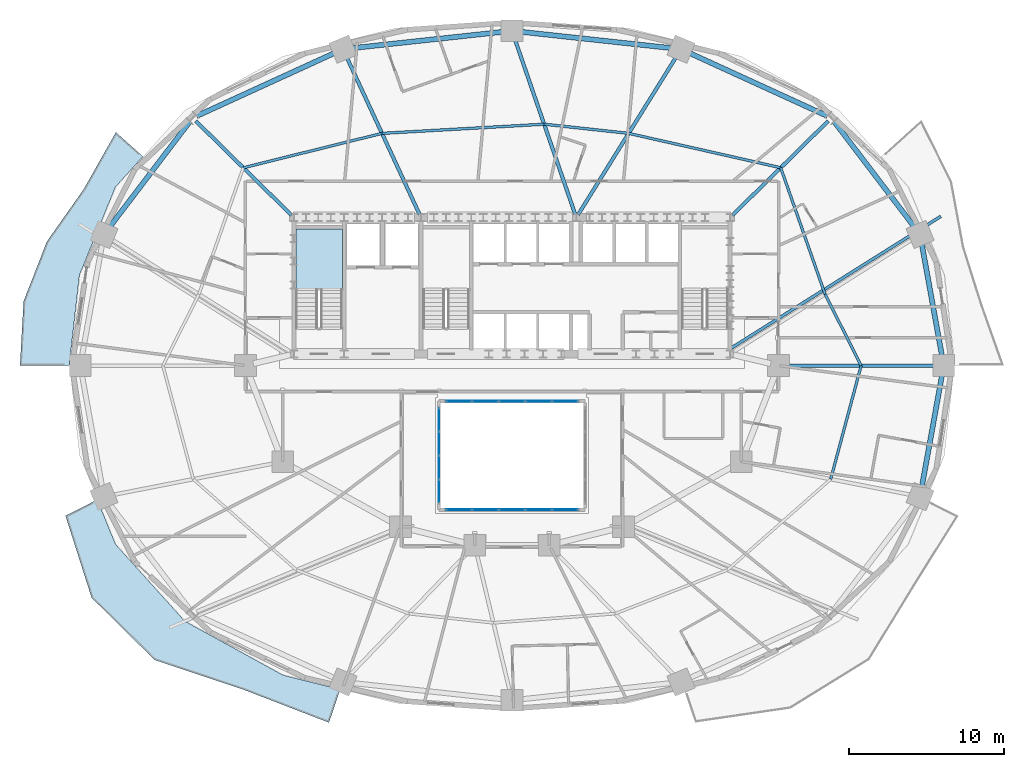
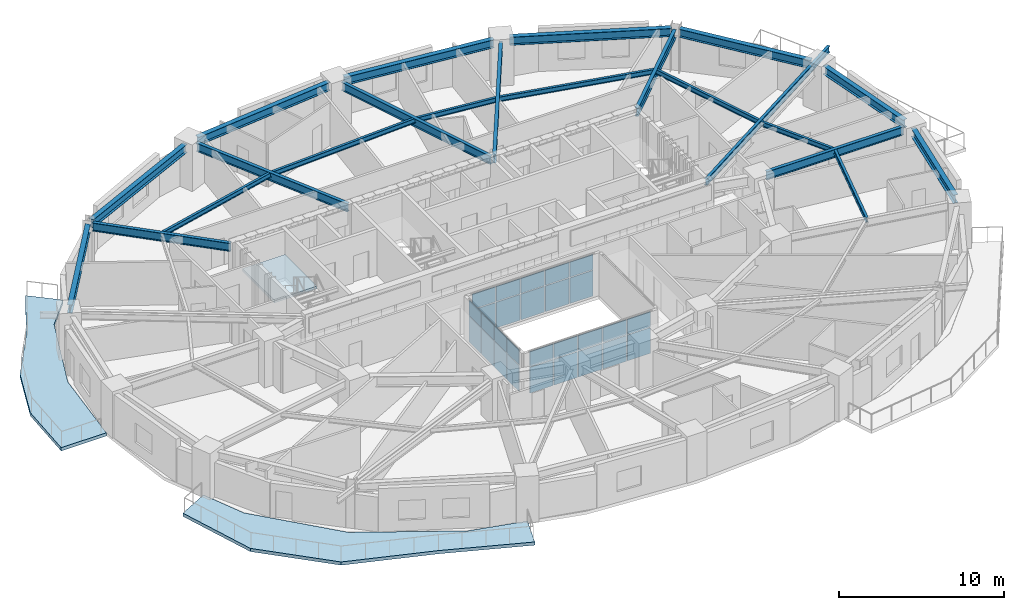
# One storey, part 6 of 15: 28 plates, 22 beams, 3 slabs, 4 elements without a shape of their own.
"""IFC4 building model written with IfcOpenShell, lengths in metres."""

from ifc_helpers import new_model, si_unit, direction, frame, origin, origin_2d, place, context, subcontext, project, spatial, polyline, rectangle, i_section, outline, extrude, material, layer, layer_set, material_profile, profile_set, type_object, element, aggregate, save


model = new_model("IFC4")

# Units and contexts
model_context = context("Model", 3, precision=1e-05, world=origin(), true_north=direction((0.0, 1.0)))
body_context = subcontext(model_context, "Body", "Model", "MODEL_VIEW")
ifc_project = project(units=[si_unit("LENGTHUNIT", "METRE"), si_unit("AREAUNIT", "SQUARE_METRE"), si_unit("VOLUMEUNIT", "CUBIC_METRE"), si_unit("PLANEANGLEUNIT", "RADIAN"), si_unit("MASSUNIT", "GRAM", prefix="KILO")], contexts=[model_context])

# Site, building, storey
site_placement = place(None, origin())
site = spatial("IfcSite", under=ifc_project, at=site_placement, CompositionType="ELEMENT")
building_placement = place(site_placement, origin())
building = spatial("IfcBuilding", under=site, at=building_placement, Name="Haldorwick Loom Tower", CompositionType="ELEMENT")
storey_placement = place(building_placement, frame((0.0, 0.0, 85.25)))
storey = spatial("IfcBuildingStorey", under=building, at=storey_placement, Name="L22", CompositionType="ELEMENT", Elevation=85.25)

# Beams
ifc_material_1 = material(Name="Steel CSA G40.21 350W", Category="steel")
ifc_material_profile_1 = material_profile(ifc_material_1, i_section(OverallWidth=0.193115234375, OverallDepth=0.466064453125, WebThickness=0.011474609375, FlangeThickness=0.01904296875, at=origin_2d()), Name="W460X97", Category="steel")
ifc_profile_set_1 = profile_set([ifc_material_profile_1], Name="Steel CSA G40.21 350W")
beam_type_1 = type_object("IfcBeamType", Name="STR-BM-BAL460", PredefinedType="BEAM", material=ifc_profile_set_1)
beam_1_placement = place(storey_placement, frame((50.111572265625, 27.106689453125, 2.97705078125), z_axis=(0.846609845451, 0.532214026108, 0.0), x_axis=(-0.532214026108, 0.846609845451, 0.0)))
element("IfcBeam", 1, at=beam_1_placement, inside=storey, type_object=beam_type_1, Name="L22 Continuous Back-Spanned Balcony Beam 4", PredefinedType="BEAM", context=body_context, shape_type="SweptSolid", body=[
    extrude(i_section(OverallWidth=0.193115234375, OverallDepth=0.466064453125, WebThickness=0.011474609375, FlangeThickness=0.01904296875, at=origin_2d()), origin(), (0.0, 0.0, 1.0), 16.0068359375),
])
ifc_material_profile_2 = material_profile(ifc_material_1, i_section(OverallWidth=0.172119140625, OverallDepth=0.35791015625, WebThickness=0.0078125, FlangeThickness=0.01318359375, at=origin_2d()), Name="W360X57", Category="steel")
ifc_profile_set_2 = profile_set([ifc_material_profile_2], Name="Steel CSA G40.21 350W")
beam_type_2 = type_object("IfcBeamType", Name="STR-BM-J360", PredefinedType="JOIST", material=ifc_profile_set_2)
beam_2_placement = place(storey_placement, frame((58.52880859375, 26.0, 3.031005859375), z_axis=(-0.451373231558, 0.892335254169, 0.0), x_axis=(-0.892335254169, -0.451373231558, 0.0)))
element("IfcBeam", 2, at=beam_2_placement, inside=storey, type_object=beam_type_2, Name="L22 Mid-Bay Secondary Joist 1", PredefinedType="JOIST", context=body_context, shape_type="SweptSolid", body=[
    extrude(i_section(OverallWidth=0.172119140625, OverallDepth=0.35791015625, WebThickness=0.0078125, FlangeThickness=0.01318359375, at=origin_2d()), origin(), (0.0, 0.0, 1.0), 5.158935546875),
])
beam_3_placement = place(storey_placement, frame((56.2001953125, 30.603515625, 3.031005859375), z_axis=(-0.330864603503, 0.943678236556, 0.0), x_axis=(-0.943678236556, -0.330864603503, 0.0)))
element("IfcBeam", 3, at=beam_3_placement, inside=storey, type_object=beam_type_2, Name="L22 Mid-Bay Secondary Joist 2", PredefinedType="JOIST", context=body_context, shape_type="SweptSolid", body=[
    extrude(i_section(OverallWidth=0.172119140625, OverallDepth=0.35791015625, WebThickness=0.0078125, FlangeThickness=0.01318359375, at=origin_2d()), origin(), (0.0, 0.0, 1.0), 8.6494140625),
])
beam_4_placement = place(storey_placement, frame((53.33837890625, 38.765869140625, 3.031005859375), z_axis=(-0.975380231772, 0.22052982444, 0.0), x_axis=(-0.22052982444, -0.975380231772, 0.0)))
element("IfcBeam", 4, at=beam_4_placement, inside=storey, type_object=beam_type_2, Name="L22 Mid-Bay Secondary Joist 3", PredefinedType="JOIST", context=body_context, shape_type="SweptSolid", body=[
    extrude(i_section(OverallWidth=0.172119140625, OverallDepth=0.35791015625, WebThickness=0.0078125, FlangeThickness=0.01318359375, at=origin_2d()), origin(), (0.0, 0.0, 1.0), 10.0576171875),
])
beam_5_placement = place(storey_placement, frame((43.5283203125, 40.98388671875, 3.031005859375), z_axis=(-0.994191869342, 0.107622148904, 0.0), x_axis=(-0.107622148904, -0.994191869342, 0.0)))
element("IfcBeam", 5, at=beam_5_placement, inside=storey, type_object=beam_type_2, Name="L22 Mid-Bay Secondary Joist 4", PredefinedType="JOIST", context=body_context, shape_type="SweptSolid", body=[
    extrude(i_section(OverallWidth=0.172119140625, OverallDepth=0.35791015625, WebThickness=0.0078125, FlangeThickness=0.01318359375, at=origin_2d()), origin(), (0.0, 0.0, 1.0), 5.485107421875),
])
beam_6_placement = place(storey_placement, frame((38.074951171875, 41.57421875, 3.031005859375), z_axis=(-0.998412171013, -0.056330602457, 0.0), x_axis=(0.056330602457, -0.998412171013, 0.0)))
element("IfcBeam", 6, at=beam_6_placement, inside=storey, type_object=beam_type_2, Name="L22 Mid-Bay Secondary Joist 5", PredefinedType="JOIST", context=body_context, shape_type="SweptSolid", body=[
    extrude(i_section(OverallWidth=0.172119140625, OverallDepth=0.35791015625, WebThickness=0.0078125, FlangeThickness=0.01318359375, at=origin_2d()), origin(), (0.0, 0.0, 1.0), 10.479736328125),
])
beam_7_placement = place(storey_placement, frame((27.61181640625, 40.98388671875, 3.031005859375), z_axis=(-0.970638838364, -0.240541567009, 0.0), x_axis=(0.240541567009, -0.970638838364, 0.0)))
element("IfcBeam", 7, at=beam_7_placement, inside=storey, type_object=beam_type_2, Name="L22 Mid-Bay Secondary Joist 6", PredefinedType="JOIST", context=body_context, shape_type="SweptSolid", body=[
    extrude(i_section(OverallWidth=0.172119140625, OverallDepth=0.35791015625, WebThickness=0.0078125, FlangeThickness=0.01318359375, at=origin_2d()), origin(), (0.0, 0.0, 1.0), 9.220947265625),
])
beam_8_placement = place(storey_placement, frame((56.565185546875, 18.67138671875, 3.031005859375), z_axis=(0.258810072536, 0.965928230436, 0.0), x_axis=(-0.965928230436, 0.258810072536, 0.0)))
element("IfcBeam", 8, at=beam_8_placement, inside=storey, type_object=beam_type_2, Name="L22 Mid-Bay Secondary Joist 16", PredefinedType="JOIST", context=body_context, shape_type="SweptSolid", body=[
    extrude(i_section(OverallWidth=0.172119140625, OverallDepth=0.35791015625, WebThickness=0.0078125, FlangeThickness=0.01318359375, at=origin_2d()), origin(), (0.0, 0.0, 1.0), 7.587158203125),
])
ifc_material_profile_3 = material_profile(ifc_material_1, i_section(OverallWidth=0.324951171875, OverallDepth=0.615966796875, WebThickness=0.013916015625, FlangeThickness=0.021484375, at=origin_2d()), Name="W610X174", Category="steel")
ifc_profile_set_3 = profile_set([ifc_material_profile_3], Name="Steel CSA G40.21 350W")
beam_type_3 = type_object("IfcBeamType", Name="STR-BM-SP610", PredefinedType="SPANDREL", material=ifc_profile_set_3)
beam_9_placement = place(storey_placement, frame((63.76513671875, 26.51171875, 2.902099609375), z_axis=(-0.177659490888, 0.984092020747, 0.0), x_axis=(-0.984092020747, -0.177659490888, 0.0)))
element("IfcBeam", 9, at=beam_9_placement, inside=storey, type_object=beam_type_3, Name="L22 Perimeter Spandrel 1", PredefinedType="SPANDREL", context=body_context, shape_type="SweptSolid", body=[
    extrude(i_section(OverallWidth=0.324951171875, OverallDepth=0.615966796875, WebThickness=0.013916015625, FlangeThickness=0.021484375, at=origin_2d()), origin(), (0.0, 0.0, 1.0), 7.553955078125),
])
beam_10_placement = place(storey_placement, frame((62.015869140625, 34.87109375, 2.902099609375), z_axis=(-0.605453508047, 0.795880675475, 0.0), x_axis=(-0.795880675475, -0.605453508047, 0.0)))
element("IfcBeam", 10, at=beam_10_placement, inside=storey, type_object=beam_type_3, Name="L22 Perimeter Spandrel 2", PredefinedType="SPANDREL", context=body_context, shape_type="SweptSolid", body=[
    extrude(i_section(OverallWidth=0.324951171875, OverallDepth=0.615966796875, WebThickness=0.013916015625, FlangeThickness=0.021484375, at=origin_2d()), origin(), (0.0, 0.0, 1.0), 8.6591796875),
])
beam_11_placement = place(storey_placement, frame((56.356689453125, 42.09619140625, 2.902099609375), z_axis=(-0.909423969306, 0.415870225011, 0.0), x_axis=(-0.415870225011, -0.909423969306, 0.0)))
element("IfcBeam", 11, at=beam_11_placement, inside=storey, type_object=beam_type_3, Name="L22 Perimeter Spandrel 3", PredefinedType="SPANDREL", context=body_context, shape_type="SweptSolid", body=[
    extrude(i_section(OverallWidth=0.324951171875, OverallDepth=0.615966796875, WebThickness=0.013916015625, FlangeThickness=0.021484375, at=origin_2d()), origin(), (0.0, 0.0, 1.0), 9.871337890625),
])
for number, where, z_axis, x_axis, name in (
    (12, (46.389404296875, 46.4736328125, 2.902099609375), (-0.994190135627, 0.107638163409, 0.0), (-0.107638163409, -0.994190135627, 0.0), "L22 Perimeter Spandrel 4"),
    (13, (35.48291015625, 47.54248046875, 2.902099609375), (-0.994190135627, -0.107638163409, 0.0), (0.107638163409, -0.994190135627, 0.0), "L22 Perimeter Spandrel 5"),
):
    element("IfcBeam", number, at=place(storey_placement, frame(where, z_axis=z_axis, x_axis=x_axis)), inside=storey, type_object=beam_type_3, Name=name, PredefinedType="SPANDREL", context=body_context, shape_type="SweptSolid", body=[
        extrude(i_section(OverallWidth=0.324951171875, OverallDepth=0.615966796875, WebThickness=0.013916015625, FlangeThickness=0.021484375, at=origin_2d()), origin(), (0.0, 0.0, 1.0), 9.929931640625),
    ])
beam_12_placement = place(storey_placement, frame((24.62060546875, 46.201416015625, 2.902099609375), z_axis=(-0.909423969306, -0.415870225011, 0.0), x_axis=(0.415870225011, -0.909423969306, 0.0)))
element("IfcBeam", 14, at=beam_12_placement, inside=storey, type_object=beam_type_3, Name="L22 Perimeter Spandrel 6", PredefinedType="SPANDREL", context=body_context, shape_type="SweptSolid", body=[
    extrude(i_section(OverallWidth=0.324951171875, OverallDepth=0.615966796875, WebThickness=0.013916015625, FlangeThickness=0.021484375, at=origin_2d()), origin(), (0.0, 0.0, 1.0), 9.871337890625),
])
beam_13_placement = place(storey_placement, frame((15.226806640625, 41.7626953125, 2.902099609375), z_axis=(-0.605453508047, -0.795880675475, 0.0), x_axis=(0.795880675475, -0.605453508047, 0.0)))
element("IfcBeam", 15, at=beam_13_placement, inside=storey, type_object=beam_type_3, Name="L22 Perimeter Spandrel 7", PredefinedType="SPANDREL", context=body_context, shape_type="SweptSolid", body=[
    extrude(i_section(OverallWidth=0.324951171875, OverallDepth=0.615966796875, WebThickness=0.013916015625, FlangeThickness=0.021484375, at=origin_2d()), origin(), (0.0, 0.0, 1.0), 8.6591796875),
])
beam_14_placement = place(storey_placement, frame((62.423095703125, 18.054443359375, 2.902099609375), z_axis=(0.177659490888, 0.984092020747, 0.0), x_axis=(-0.984092020747, 0.177659490888, 0.0)))
element("IfcBeam", 16, at=beam_14_placement, inside=storey, type_object=beam_type_3, Name="L22 Perimeter Spandrel 16", PredefinedType="SPANDREL", context=body_context, shape_type="SweptSolid", body=[
    extrude(i_section(OverallWidth=0.324951171875, OverallDepth=0.615966796875, WebThickness=0.013916015625, FlangeThickness=0.021484375, at=origin_2d()), origin(), (0.0, 0.0, 1.0), 7.553955078125),
])
ifc_material_profile_4 = material_profile(ifc_material_1, i_section(OverallWidth=0.22998046875, OverallDepth=0.616943359375, WebThickness=0.01318359375, FlangeThickness=0.022216796875, at=origin_2d()), Name="W610X140", Category="steel")
ifc_profile_set_4 = profile_set([ifc_material_profile_4], Name="Steel CSA G40.21 350W")
beam_type_4 = type_object("IfcBeamType", Name="STR-BM-W610B", PredefinedType="BEAM", material=ifc_profile_set_4)
beam_15_placement = place(storey_placement, frame((53.719970703125, 26.0, 2.901611328125), z_axis=(1.0, 0.0, 0.0), x_axis=(0.0, 1.0, 0.0)))
element("IfcBeam", 17, at=beam_15_placement, inside=storey, type_object=beam_type_4, Name="L22 Radial Floor Girder 1", PredefinedType="BEAM", context=body_context, shape_type="SweptSolid", body=[
    extrude(i_section(OverallWidth=0.22998046875, OverallDepth=0.616943359375, WebThickness=0.01318359375, FlangeThickness=0.022216796875, at=origin_2d()), origin(), (0.0, 0.0, 1.0), 9.61767578125),
])
beam_16_placement = place(storey_placement, frame((50.23046875, 35.707763671875, 2.901611328125), z_axis=(0.712813667541, 0.701353459653, 0.0), x_axis=(-0.701353459653, 0.712813667541, 0.0)))
element("IfcBeam", 18, at=beam_16_placement, inside=storey, type_object=beam_type_4, Name="L22 Radial Floor Girder 3", PredefinedType="BEAM", context=body_context, shape_type="SweptSolid", body=[
    extrude(i_section(OverallWidth=0.22998046875, OverallDepth=0.616943359375, WebThickness=0.01318359375, FlangeThickness=0.022216796875, at=origin_2d()), origin(), (0.0, 0.0, 1.0), 8.67041015625),
])
beam_17_placement = place(storey_placement, frame((40.268798828125, 35.7412109375, 2.901611328125), z_axis=(0.527983484361, 0.849254638046, 0.0), x_axis=(-0.849254638046, 0.527983484361, 0.0)))
element("IfcBeam", 19, at=beam_17_placement, inside=storey, type_object=beam_type_4, Name="L22 Radial Floor Girder 4", PredefinedType="BEAM", context=body_context, shape_type="SweptSolid", body=[
    extrude(i_section(OverallWidth=0.22998046875, OverallDepth=0.616943359375, WebThickness=0.01318359375, FlangeThickness=0.022216796875, at=origin_2d()), origin(), (0.0, 0.0, 1.0), 12.051513671875),
])
beam_18_placement = place(storey_placement, frame((40.07666015625, 35.7626953125, 2.901611328125), z_axis=(-0.325673980289, 0.945482130218, 0.0), x_axis=(-0.945482130218, -0.325673980289, 0.0)))
element("IfcBeam", 20, at=beam_18_placement, inside=storey, type_object=beam_type_4, Name="L22 Radial Floor Girder 5", PredefinedType="BEAM", context=body_context, shape_type="SweptSolid", body=[
    extrude(i_section(OverallWidth=0.22998046875, OverallDepth=0.616943359375, WebThickness=0.01318359375, FlangeThickness=0.022216796875, at=origin_2d()), origin(), (0.0, 0.0, 1.0), 11.998046875),
])
beam_19_placement = place(storey_placement, frame((30.035400390625, 35.754150390625, 2.901611328125), z_axis=(-0.420492432459, 0.907296045536, 0.0), x_axis=(-0.907296045536, -0.420492432459, 0.0)))
element("IfcBeam", 21, at=beam_19_placement, inside=storey, type_object=beam_type_4, Name="L22 Radial Floor Girder 6", PredefinedType="BEAM", context=body_context, shape_type="SweptSolid", body=[
    extrude(i_section(OverallWidth=0.22998046875, OverallDepth=0.616943359375, WebThickness=0.01318359375, FlangeThickness=0.022216796875, at=origin_2d()), origin(), (0.0, 0.0, 1.0), 11.23291015625),
])
beam_20_placement = place(storey_placement, frame((21.76953125, 35.707763671875, 2.901611328125), z_axis=(-0.712813667541, 0.701353459653, 0.0), x_axis=(-0.701353459653, -0.712813667541, 0.0)))
element("IfcBeam", 22, at=beam_20_placement, inside=storey, type_object=beam_type_4, Name="L22 Radial Floor Girder 7", PredefinedType="BEAM", context=body_context, shape_type="SweptSolid", body=[
    extrude(i_section(OverallWidth=0.22998046875, OverallDepth=0.616943359375, WebThickness=0.01318359375, FlangeThickness=0.022216796875, at=origin_2d()), origin(), (0.0, 0.0, 1.0), 8.67041015625),
])

# Curtain wall, plates
ifc_material_2 = material(Name="Thermally Broken Anodized Aluminium Curtain Wall Framing", Category="aluminium")
curtain_wall_type = type_object("IfcCurtainWallType", Name="ARC-CW-03", PredefinedType="NOTDEFINED", material=ifc_material_2)
curtain_wall_1_placement = place(storey_placement, origin())
curtain_wall_1 = element("IfcCurtainWall", 23, at=curtain_wall_1_placement, inside=storey, type_object=curtain_wall_type, Name="L22 Atrium Glazed Screen S", PredefinedType="NOTDEFINED")
ifc_material_3 = material(Name="Triple-Glazed Low-E Argon Insulated Glazing Unit", Category="glass")
ifc_layer_1 = layer(ifc_material_3, 0.04296875, Name="Triple-Glazed Low-E Argon Insulated Glazing Unit", Category="glass")
ifc_layer_set_1 = layer_set([ifc_layer_1], Name="Triple-Glazed Low-E Argon Insulated Glazing Unit")
plate_type = type_object("IfcPlateType", Name="ARC-CWP-03", PredefinedType="CURTAIN_PANEL", material=ifc_layer_set_1)
plate_1_placement = place(storey_placement, frame((39.423583984375, 16.699951171875, 0.066162109375), z_axis=(0.0, 0.0, 1.0), x_axis=(-1.0, 0.0, 0.0)))
plate_1 = element("IfcPlate", 24, at=plate_1_placement, type_object=plate_type, Name="CW-03 panel 1.1", PredefinedType="CURTAIN_PANEL", context=body_context, shape_type="SweptSolid", body=[
    extrude(rectangle(XDim=1.62109375, YDim=0.04296875, at=origin_2d()), origin(), (0.0, 0.0, 1.0), 1.90087890625),
])
plate_2_placement = place(storey_placement, frame((39.423583984375, 16.699951171875, 2.03271484375), z_axis=(0.0, 0.0, 1.0), x_axis=(-1.0, 0.0, 0.0)))
plate_2 = element("IfcPlate", 25, at=plate_2_placement, type_object=plate_type, Name="CW-03 panel 1.2", PredefinedType="CURTAIN_PANEL", context=body_context, shape_type="SweptSolid", body=[
    extrude(rectangle(XDim=1.62109375, YDim=0.04296875, at=origin_2d()), origin(), (0.0, 0.0, 1.0), 1.111083984375),
])
plate_3_placement = place(storey_placement, frame((37.719970703125, 16.699951171875, 0.066162109375), z_axis=(0.0, 0.0, 1.0), x_axis=(-1.0, 0.0, 0.0)))
plate_3 = element("IfcPlate", 26, at=plate_3_placement, type_object=plate_type, Name="CW-03 panel 2.1", PredefinedType="CURTAIN_PANEL", context=body_context, shape_type="SweptSolid", body=[
    extrude(rectangle(XDim=1.654052734375, YDim=0.04296875, at=origin_2d()), origin(), (0.0, 0.0, 1.0), 1.90087890625),
])
plate_4_placement = place(storey_placement, frame((37.719970703125, 16.699951171875, 2.03271484375), z_axis=(0.0, 0.0, 1.0), x_axis=(-1.0, 0.0, 0.0)))
plate_4 = element("IfcPlate", 27, at=plate_4_placement, type_object=plate_type, Name="CW-03 panel 2.2", PredefinedType="CURTAIN_PANEL", context=body_context, shape_type="SweptSolid", body=[
    extrude(rectangle(XDim=1.654052734375, YDim=0.04296875, at=origin_2d()), origin(), (0.0, 0.0, 1.0), 1.111083984375),
])
plate_5_placement = place(storey_placement, frame((36.0, 16.699951171875, 0.066162109375), z_axis=(0.0, 0.0, 1.0), x_axis=(-1.0, 0.0, 0.0)))
plate_5 = element("IfcPlate", 28, at=plate_5_placement, type_object=plate_type, Name="CW-03 panel 3.1", PredefinedType="CURTAIN_PANEL", context=body_context, shape_type="SweptSolid", body=[
    extrude(rectangle(XDim=1.654052734375, YDim=0.04296875, at=origin_2d()), origin(), (0.0, 0.0, 1.0), 1.90087890625),
])
plate_6_placement = place(storey_placement, frame((36.0, 16.699951171875, 2.03271484375), z_axis=(0.0, 0.0, 1.0), x_axis=(-1.0, 0.0, 0.0)))
plate_6 = element("IfcPlate", 29, at=plate_6_placement, type_object=plate_type, Name="CW-03 panel 3.2", PredefinedType="CURTAIN_PANEL", context=body_context, shape_type="SweptSolid", body=[
    extrude(rectangle(XDim=1.654052734375, YDim=0.04296875, at=origin_2d()), origin(), (0.0, 0.0, 1.0), 1.111083984375),
])
plate_7_placement = place(storey_placement, frame((34.280029296875, 16.699951171875, 0.066162109375), z_axis=(0.0, 0.0, 1.0), x_axis=(-1.0, 0.0, 0.0)))
plate_7 = element("IfcPlate", 30, at=plate_7_placement, type_object=plate_type, Name="CW-03 panel 4.1", PredefinedType="CURTAIN_PANEL", context=body_context, shape_type="SweptSolid", body=[
    extrude(rectangle(XDim=1.654052734375, YDim=0.04296875, at=origin_2d()), origin(), (0.0, 0.0, 1.0), 1.90087890625),
])
plate_8_placement = place(storey_placement, frame((34.280029296875, 16.699951171875, 2.03271484375), z_axis=(0.0, 0.0, 1.0), x_axis=(-1.0, 0.0, 0.0)))
plate_8 = element("IfcPlate", 31, at=plate_8_placement, type_object=plate_type, Name="CW-03 panel 4.2", PredefinedType="CURTAIN_PANEL", context=body_context, shape_type="SweptSolid", body=[
    extrude(rectangle(XDim=1.654052734375, YDim=0.04296875, at=origin_2d()), origin(), (0.0, 0.0, 1.0), 1.111083984375),
])
plate_9_placement = place(storey_placement, frame((32.576416015625, 16.699951171875, 0.066162109375), z_axis=(0.0, 0.0, 1.0), x_axis=(-1.0, 0.0, 0.0)))
plate_9 = element("IfcPlate", 32, at=plate_9_placement, type_object=plate_type, Name="CW-03 panel 5.1", PredefinedType="CURTAIN_PANEL", context=body_context, shape_type="SweptSolid", body=[
    extrude(rectangle(XDim=1.62109375, YDim=0.04296875, at=origin_2d()), origin(), (0.0, 0.0, 1.0), 1.90087890625),
])
plate_10_placement = place(storey_placement, frame((32.576416015625, 16.699951171875, 2.03271484375), z_axis=(0.0, 0.0, 1.0), x_axis=(-1.0, 0.0, 0.0)))
plate_10 = element("IfcPlate", 33, at=plate_10_placement, type_object=plate_type, Name="CW-03 panel 5.2", PredefinedType="CURTAIN_PANEL", context=body_context, shape_type="SweptSolid", body=[
    extrude(rectangle(XDim=1.62109375, YDim=0.04296875, at=origin_2d()), origin(), (0.0, 0.0, 1.0), 1.111083984375),
])
aggregate(curtain_wall_1, [plate_1, plate_2, plate_3, plate_4, plate_5, plate_6, plate_7, plate_8, plate_9, plate_10])

curtain_wall_2_placement = place(storey_placement, origin())
curtain_wall_2 = element("IfcCurtainWall", 34, at=curtain_wall_2_placement, inside=storey, type_object=curtain_wall_type, Name="L22 Atrium Glazed Screen N", PredefinedType="NOTDEFINED")
plate_11_placement = place(storey_placement, frame((32.576416015625, 23.699951171875, 0.066162109375), z_axis=(0.0, 0.0, 1.0), x_axis=(1.0, 0.0, 0.0)))
plate_11 = element("IfcPlate", 35, at=plate_11_placement, type_object=plate_type, Name="CW-03 panel 1.1", PredefinedType="CURTAIN_PANEL", context=body_context, shape_type="SweptSolid", body=[
    extrude(rectangle(XDim=1.62109375, YDim=0.04296875, at=origin_2d()), origin(), (0.0, 0.0, 1.0), 1.90087890625),
])
plate_12_placement = place(storey_placement, frame((32.576416015625, 23.699951171875, 2.03271484375), z_axis=(0.0, 0.0, 1.0), x_axis=(1.0, 0.0, 0.0)))
plate_12 = element("IfcPlate", 36, at=plate_12_placement, type_object=plate_type, Name="CW-03 panel 1.2", PredefinedType="CURTAIN_PANEL", context=body_context, shape_type="SweptSolid", body=[
    extrude(rectangle(XDim=1.62109375, YDim=0.04296875, at=origin_2d()), origin(), (0.0, 0.0, 1.0), 1.111083984375),
])
plate_13_placement = place(storey_placement, frame((34.280029296875, 23.699951171875, 0.066162109375), z_axis=(0.0, 0.0, 1.0), x_axis=(1.0, 0.0, 0.0)))
plate_13 = element("IfcPlate", 37, at=plate_13_placement, type_object=plate_type, Name="CW-03 panel 2.1", PredefinedType="CURTAIN_PANEL", context=body_context, shape_type="SweptSolid", body=[
    extrude(rectangle(XDim=1.654052734375, YDim=0.04296875, at=origin_2d()), origin(), (0.0, 0.0, 1.0), 1.90087890625),
])
plate_14_placement = place(storey_placement, frame((34.280029296875, 23.699951171875, 2.03271484375), z_axis=(0.0, 0.0, 1.0), x_axis=(1.0, 0.0, 0.0)))
plate_14 = element("IfcPlate", 38, at=plate_14_placement, type_object=plate_type, Name="CW-03 panel 2.2", PredefinedType="CURTAIN_PANEL", context=body_context, shape_type="SweptSolid", body=[
    extrude(rectangle(XDim=1.654052734375, YDim=0.04296875, at=origin_2d()), origin(), (0.0, 0.0, 1.0), 1.111083984375),
])
plate_15_placement = place(storey_placement, frame((36.0, 23.699951171875, 0.066162109375), z_axis=(0.0, 0.0, 1.0), x_axis=(1.0, 0.0, 0.0)))
plate_15 = element("IfcPlate", 39, at=plate_15_placement, type_object=plate_type, Name="CW-03 panel 3.1", PredefinedType="CURTAIN_PANEL", context=body_context, shape_type="SweptSolid", body=[
    extrude(rectangle(XDim=1.654052734375, YDim=0.04296875, at=origin_2d()), origin(), (0.0, 0.0, 1.0), 1.90087890625),
])
plate_16_placement = place(storey_placement, frame((36.0, 23.699951171875, 2.03271484375), z_axis=(0.0, 0.0, 1.0), x_axis=(1.0, 0.0, 0.0)))
plate_16 = element("IfcPlate", 40, at=plate_16_placement, type_object=plate_type, Name="CW-03 panel 3.2", PredefinedType="CURTAIN_PANEL", context=body_context, shape_type="SweptSolid", body=[
    extrude(rectangle(XDim=1.654052734375, YDim=0.04296875, at=origin_2d()), origin(), (0.0, 0.0, 1.0), 1.111083984375),
])
plate_17_placement = place(storey_placement, frame((37.719970703125, 23.699951171875, 0.066162109375), z_axis=(0.0, 0.0, 1.0), x_axis=(1.0, 0.0, 0.0)))
plate_17 = element("IfcPlate", 41, at=plate_17_placement, type_object=plate_type, Name="CW-03 panel 4.1", PredefinedType="CURTAIN_PANEL", context=body_context, shape_type="SweptSolid", body=[
    extrude(rectangle(XDim=1.654052734375, YDim=0.04296875, at=origin_2d()), origin(), (0.0, 0.0, 1.0), 1.90087890625),
])
plate_18_placement = place(storey_placement, frame((37.719970703125, 23.699951171875, 2.03271484375), z_axis=(0.0, 0.0, 1.0), x_axis=(1.0, 0.0, 0.0)))
plate_18 = element("IfcPlate", 42, at=plate_18_placement, type_object=plate_type, Name="CW-03 panel 4.2", PredefinedType="CURTAIN_PANEL", context=body_context, shape_type="SweptSolid", body=[
    extrude(rectangle(XDim=1.654052734375, YDim=0.04296875, at=origin_2d()), origin(), (0.0, 0.0, 1.0), 1.111083984375),
])
plate_19_placement = place(storey_placement, frame((39.423583984375, 23.699951171875, 0.066162109375), z_axis=(0.0, 0.0, 1.0), x_axis=(1.0, 0.0, 0.0)))
plate_19 = element("IfcPlate", 43, at=plate_19_placement, type_object=plate_type, Name="CW-03 panel 5.1", PredefinedType="CURTAIN_PANEL", context=body_context, shape_type="SweptSolid", body=[
    extrude(rectangle(XDim=1.62109375, YDim=0.04296875, at=origin_2d()), origin(), (0.0, 0.0, 1.0), 1.90087890625),
])
plate_20_placement = place(storey_placement, frame((39.423583984375, 23.699951171875, 2.03271484375), z_axis=(0.0, 0.0, 1.0), x_axis=(1.0, 0.0, 0.0)))
plate_20 = element("IfcPlate", 44, at=plate_20_placement, type_object=plate_type, Name="CW-03 panel 5.2", PredefinedType="CURTAIN_PANEL", context=body_context, shape_type="SweptSolid", body=[
    extrude(rectangle(XDim=1.62109375, YDim=0.04296875, at=origin_2d()), origin(), (0.0, 0.0, 1.0), 1.111083984375),
])
aggregate(curtain_wall_2, [plate_11, plate_12, plate_13, plate_14, plate_15, plate_16, plate_17, plate_18, plate_19, plate_20])

curtain_wall_3_placement = place(storey_placement, origin())
curtain_wall_3 = element("IfcCurtainWall", 45, at=curtain_wall_3_placement, inside=storey, type_object=curtain_wall_type, Name="L22 Atrium Glazed Screen W", PredefinedType="NOTDEFINED")
plate_21_placement = place(storey_placement, frame((31.300048828125, 17.8916015625, 0.066162109375), z_axis=(0.0, 0.0, 1.0), x_axis=(0.0, 1.0, 0.0)))
plate_21 = element("IfcPlate", 46, at=plate_21_placement, type_object=plate_type, Name="CW-03 panel 1.1", PredefinedType="CURTAIN_PANEL", context=body_context, shape_type="SweptSolid", body=[
    extrude(rectangle(XDim=1.450927734375, YDim=0.04296875, at=origin_2d()), origin(), (0.0, 0.0, 1.0), 1.90087890625),
])
plate_22_placement = place(storey_placement, frame((31.300048828125, 17.8916015625, 2.03271484375), z_axis=(0.0, 0.0, 1.0), x_axis=(0.0, 1.0, 0.0)))
plate_22 = element("IfcPlate", 47, at=plate_22_placement, type_object=plate_type, Name="CW-03 panel 1.2", PredefinedType="CURTAIN_PANEL", context=body_context, shape_type="SweptSolid", body=[
    extrude(rectangle(XDim=1.450927734375, YDim=0.04296875, at=origin_2d()), origin(), (0.0, 0.0, 1.0), 1.111083984375),
])
plate_23_placement = place(storey_placement, frame((31.300048828125, 19.425048828125, 0.066162109375), z_axis=(0.0, 0.0, 1.0), x_axis=(0.0, 1.0, 0.0)))
plate_23 = element("IfcPlate", 48, at=plate_23_placement, type_object=plate_type, Name="CW-03 panel 2.1", PredefinedType="CURTAIN_PANEL", context=body_context, shape_type="SweptSolid", body=[
    extrude(rectangle(XDim=1.48388671875, YDim=0.04296875, at=origin_2d()), origin(), (0.0, 0.0, 1.0), 1.90087890625),
])
plate_24_placement = place(storey_placement, frame((31.300048828125, 19.425048828125, 2.03271484375), z_axis=(0.0, 0.0, 1.0), x_axis=(0.0, 1.0, 0.0)))
plate_24 = element("IfcPlate", 49, at=plate_24_placement, type_object=plate_type, Name="CW-03 panel 2.2", PredefinedType="CURTAIN_PANEL", context=body_context, shape_type="SweptSolid", body=[
    extrude(rectangle(XDim=1.48388671875, YDim=0.04296875, at=origin_2d()), origin(), (0.0, 0.0, 1.0), 1.111083984375),
])
plate_25_placement = place(storey_placement, frame((31.300048828125, 20.97509765625, 0.066162109375), z_axis=(0.0, 0.0, 1.0), x_axis=(0.0, 1.0, 0.0)))
plate_25 = element("IfcPlate", 50, at=plate_25_placement, type_object=plate_type, Name="CW-03 panel 3.1", PredefinedType="CURTAIN_PANEL", context=body_context, shape_type="SweptSolid", body=[
    extrude(rectangle(XDim=1.48388671875, YDim=0.04296875, at=origin_2d()), origin(), (0.0, 0.0, 1.0), 1.90087890625),
])
plate_26_placement = place(storey_placement, frame((31.300048828125, 20.97509765625, 2.03271484375), z_axis=(0.0, 0.0, 1.0), x_axis=(0.0, 1.0, 0.0)))
plate_26 = element("IfcPlate", 51, at=plate_26_placement, type_object=plate_type, Name="CW-03 panel 3.2", PredefinedType="CURTAIN_PANEL", context=body_context, shape_type="SweptSolid", body=[
    extrude(rectangle(XDim=1.48388671875, YDim=0.04296875, at=origin_2d()), origin(), (0.0, 0.0, 1.0), 1.111083984375),
])
plate_27_placement = place(storey_placement, frame((31.300048828125, 22.508544921875, 0.066162109375), z_axis=(0.0, 0.0, 1.0), x_axis=(0.0, 1.0, 0.0)))
plate_27 = element("IfcPlate", 52, at=plate_27_placement, type_object=plate_type, Name="CW-03 panel 4.1", PredefinedType="CURTAIN_PANEL", context=body_context, shape_type="SweptSolid", body=[
    extrude(rectangle(XDim=1.450927734375, YDim=0.04296875, at=origin_2d()), origin(), (0.0, 0.0, 1.0), 1.90087890625),
])
plate_28_placement = place(storey_placement, frame((31.300048828125, 22.508544921875, 2.03271484375), z_axis=(0.0, 0.0, 1.0), x_axis=(0.0, 1.0, 0.0)))
plate_28 = element("IfcPlate", 53, at=plate_28_placement, type_object=plate_type, Name="CW-03 panel 4.2", PredefinedType="CURTAIN_PANEL", context=body_context, shape_type="SweptSolid", body=[
    extrude(rectangle(XDim=1.450927734375, YDim=0.04296875, at=origin_2d()), origin(), (0.0, 0.0, 1.0), 1.111083984375),
])
aggregate(curtain_wall_3, [plate_21, plate_22, plate_23, plate_24, plate_25, plate_26, plate_27, plate_28])

# Slabs
ifc_material_4 = material(Name="Concrete C40 (40 MPa)", Category="concrete")
ifc_layer_2 = layer(ifc_material_4, 0.239990234375, Name="Concrete C40 (40 MPa)", Category="concrete")
ifc_layer_set_2 = layer_set([ifc_layer_2], Name="Concrete C40 (40 MPa)")
slab_type_1 = type_object("IfcSlabType", Name="STR-SLB-BAL240", PredefinedType="FLOOR", material=ifc_layer_set_2)
slab_1_placement = place(storey_placement, frame((0.0, 0.0, -0.239990234375)))
element("IfcSlab", 54, at=slab_1_placement, inside=storey, type_object=slab_type_1, Name="L22 Sinusoidal Balcony Terrace BAL_SW", PredefinedType="FLOOR", context=body_context, shape_type="SweptSolid", body=[
    extrude(outline(polyline([(24.91259765625, 5.105224609375), (21.23583984375, 6.022705078125), (21.234619140625, 6.023193359375), (21.2333984375, 6.023681640625), (21.232177734375, 6.0244140625), (14.89111328125, 9.51025390625), (14.8896484375, 9.510986328125), (14.88818359375, 9.51220703125), (14.88720703125, 9.51318359375), (10.4228515625, 14.464599609375), (10.421875, 14.465576171875), (10.421142578125, 14.466552734375), (10.420654296875, 14.4677734375), (10.419921875, 14.468994140625), (9.2412109375, 17.34912109375), (7.192626953125, 16.303955078125), (8.8740234375, 11.02294921875), (12.93603515625, 7.01025390625), (18.6640625, 5.097412109375), (24.18798828125, 2.964599609375), (24.91259765625, 5.105224609375)])), origin(), (0.0, 0.0, 1.0), 0.239990234375),
])
slab_2_placement = place(storey_placement, frame((0.0, 0.0, -0.239990234375)))
element("IfcSlab", 55, at=slab_2_placement, inside=storey, type_object=slab_type_1, Name="L22 Sinusoidal Balcony Terrace BAL_WNW", PredefinedType="FLOOR", context=body_context, shape_type="SweptSolid", body=[
    extrude(outline(polyline([(7.427490234375, 26.0), (7.427490234375, 26.001708984375), (8.09033203125, 31.837890625), (8.090576171875, 31.83935546875), (8.0908203125, 31.840576171875), (8.09130859375, 31.841796875), (10.419921875, 37.531005859375), (10.420654296875, 37.5322265625), (10.421142578125, 37.533447265625), (10.421875, 37.534423828125), (10.4228515625, 37.535400390625), (12.186279296875, 39.4912109375), (10.439697265625, 41.05126953125), (8.35986328125, 37.364990234375), (5.98974609375, 34.008056640625), (4.48779296875, 30.1494140625), (4.25390625, 26.0), (7.427490234375, 26.0)])), origin(), (0.0, 0.0, 1.0), 0.239990234375),
])

# Stair, slab
stair_type = type_object("IfcStairType", Name="STR-STR-CORE", PredefinedType="HALF_TURN_STAIR", material=ifc_material_4)
stair_placement = place(storey_placement, origin())
stair = element("IfcStair", 56, at=stair_placement, inside=storey, type_object=stair_type, Name="L22 Exit Stair ST-01", PredefinedType="HALF_TURN_STAIR")
ifc_layer_3 = layer(ifc_material_4, 0.199951171875, Name="Concrete C40 (40 MPa)", Category="concrete")
ifc_layer_set_3 = layer_set([ifc_layer_3], Name="Concrete C40 (40 MPa)")
slab_type_2 = type_object("IfcSlabType", Name="STR-SLB-LAND200", PredefinedType="LANDING", material=ifc_layer_set_3)
slab_3_placement = place(storey_placement, frame((0.0, 0.0, 1.52490234375)))
slab_3 = element("IfcSlab", 57, at=slab_3_placement, type_object=slab_type_2, Name="ST-01 landing 1", PredefinedType="LANDING", context=body_context, shape_type="SweptSolid", body=[
    extrude(outline(polyline([(25.050048828125, 30.919921875), (25.050048828125, 34.800048828125), (22.050048828125, 34.800048828125), (22.050048828125, 30.919921875), (25.050048828125, 30.919921875)])), origin(), (0.0, 0.0, 1.0), 0.2001953125),
])
aggregate(stair, [slab_3])

save(model, "model.ifc")
